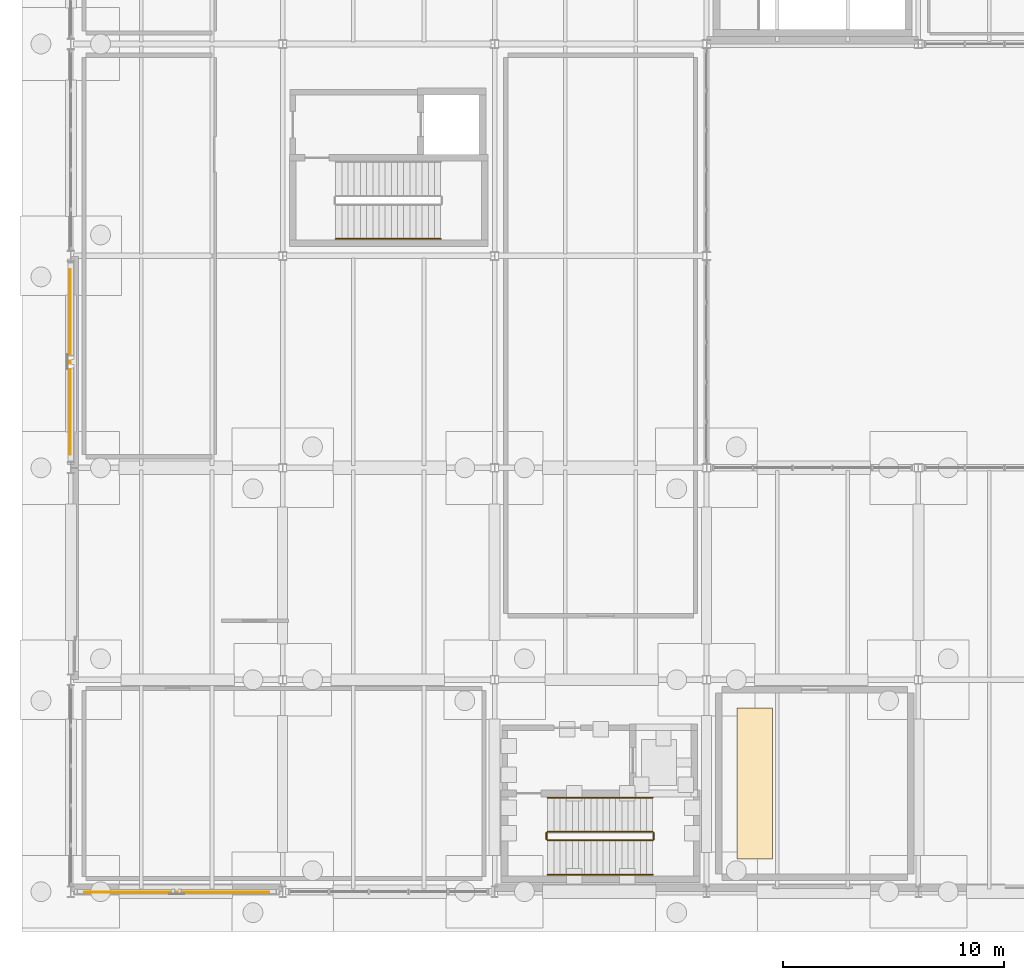
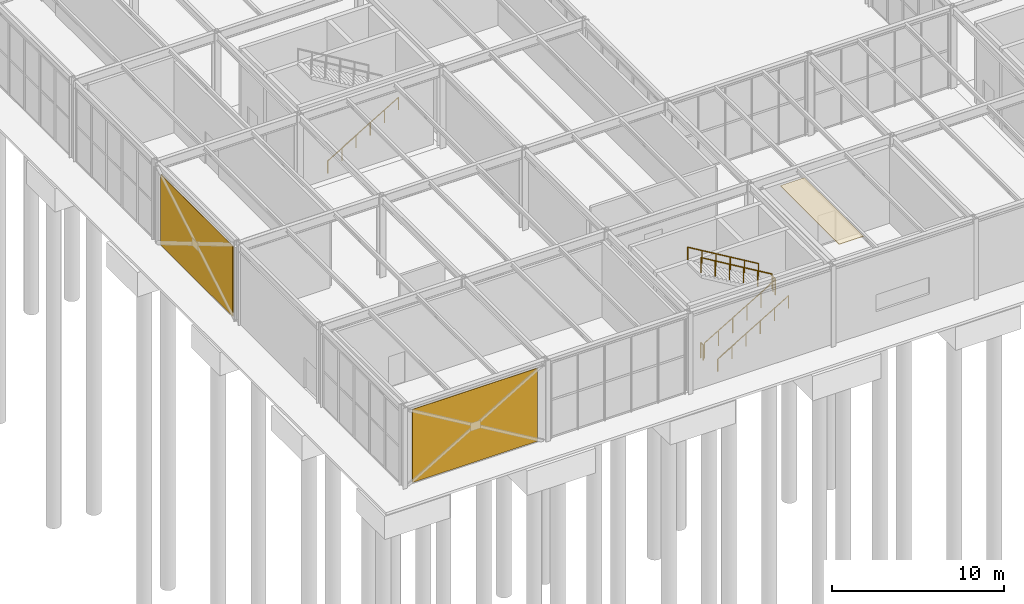
# One storey, part 128 of 142: 7 railings, 3 coverings.
"""IFC4 building model written with IfcOpenShell, lengths in metres."""

import ifcopenshell
import ifcopenshell.guid

model = None  # the IFC model being written
_history = None  # IfcOwnerHistory: only IFC2X3 demands one
_inside = {}  # id of a spatial element -> (the spatial element, [elements in it])
_under = {}  # id of a project, library or spatial element -> (it, [spatial elements below it])
_declared = {}  # id of a project -> (the project, [libraries it declares])
_typed = {}  # id of a type object -> (the type object, [elements of that type])
_made_of = {}  # id of a material, layer set ... -> (it, [elements and type objects made of it])


def new_model(schema):
    """Start an empty IFC model of exactly this schema.

    Asked for "IFC4X3", IfcOpenShell would pick the latest addendum, in which some entities
    have other attributes; the version numbers below select the first issue.
    IFC2X3 requires an IfcOwnerHistory on every rooted entity: one is made here for all.
    """
    global model, _history
    if schema == "IFC4X3":
        model = ifcopenshell.file(schema_version=(4, 3, 0, 0))
    else:
        model = ifcopenshell.file(schema=schema)
    _inside.clear()
    _under.clear()
    _declared.clear()
    _typed.clear()
    _made_of.clear()
    _history = None
    if model.schema == "IFC2X3":
        org = make("IfcOrganization", Name="unknown")
        user = make(
            "IfcPersonAndOrganization",
            ThePerson=make("IfcPerson", FamilyName="unknown"),
            TheOrganization=org,
        )
        app = make(
            "IfcApplication",
            ApplicationDeveloper=org,
            Version="unknown",
            ApplicationFullName="unknown",
            ApplicationIdentifier="unknown",
        )
        _history = make(
            "IfcOwnerHistory",
            OwningUser=user,
            OwningApplication=app,
            ChangeAction="ADDED",
            CreationDate=0,
        )
    return model


def make(cls, **values):
    """One entity of the class cls with the attributes given. An attribute that is None is left unset."""
    return model.create_entity(
        cls, **{name: value for name, value in values.items() if value is not None}
    )


def rooted(cls, **values):
    """An entity with a GlobalId (a new one), such as an element, a storey or a relation."""
    return make(cls, GlobalId=ifcopenshell.guid.new(), OwnerHistory=_history, **values)


def si_unit(unit_type, name, prefix=None):
    """IfcSIUnit, for example si_unit("LENGTHUNIT", "METRE", prefix="MILLI")."""
    return make("IfcSIUnit", UnitType=unit_type, Prefix=prefix, Name=name)


def assignment(units):
    """IfcUnitAssignment: the units of a project."""
    return None if units is None else make("IfcUnitAssignment", Units=units)


def point(xyz):
    """IfcCartesianPoint."""
    return None if xyz is None else make("IfcCartesianPoint", Coordinates=xyz)


def direction(xyz):
    """IfcDirection."""
    return None if xyz is None else make("IfcDirection", DirectionRatios=xyz)


def frame(location, z_axis=None, x_axis=None):
    """IfcAxis2Placement3D, a coordinate frame: its origin and axes. An axis left out is left unset."""
    return make(
        "IfcAxis2Placement3D",
        Location=point(location),
        Axis=direction(z_axis),
        RefDirection=direction(x_axis),
    )


def frame_2d(location, x_axis=None):
    """IfcAxis2Placement2D, a coordinate frame in the plane: its origin and x axis."""
    return make(
        "IfcAxis2Placement2D", Location=point(location), RefDirection=direction(x_axis)
    )


def origin():
    """The frame at (0, 0, 0) with its axes left unset."""
    return frame((0.0, 0.0, 0.0))


def origin_2d():
    """The frame at (0, 0) in the plane with its x axis left unset."""
    return frame_2d((0.0, 0.0))


def place(relative_to, where):
    """IfcLocalPlacement: puts the frame where relative to a parent placement (None: the world)."""
    return make(
        "IfcLocalPlacement", PlacementRelTo=relative_to, RelativePlacement=where
    )


def context(
    kind, dimensions, precision=None, world=None, true_north=None, identifier=None
):
    """IfcGeometricRepresentationContext, for example the 3D "Model" context."""
    return make(
        "IfcGeometricRepresentationContext",
        ContextIdentifier=identifier,
        ContextType=kind,
        CoordinateSpaceDimension=dimensions,
        Precision=precision,
        WorldCoordinateSystem=world,
        TrueNorth=true_north,
    )


def subcontext(parent, identifier, kind, view, scale=None):
    """IfcGeometricRepresentationSubContext, for example "Body" below "Model"."""
    return make(
        "IfcGeometricRepresentationSubContext",
        ContextIdentifier=identifier,
        ContextType=kind,
        ParentContext=parent,
        TargetScale=scale,
        TargetView=view,
    )


def project(units=None, contexts=None):
    """IfcProject with its units and contexts."""
    return rooted(
        "IfcProject",
        Name="project",
        RepresentationContexts=contexts,
        UnitsInContext=assignment(units),
    )


def spatial(cls, under=None, at=None, **own):
    """A site, building, storey or space (cls), placed at a placement, below another one or the project."""
    s = rooted(cls, ObjectPlacement=at, **own)
    if under is not None:
        _under.setdefault(under.id(), (under, []))[1].append(s)
    return s


def polyline(points):
    """IfcPolyline through the points."""
    return make("IfcPolyline", Points=[point(p) for p in points])


def profile(cls, at=None, kind="AREA", **sizes):
    """A parametric profile (cls). Its sizes go by their IFC names, for example OverallWidth=200.0."""
    return make(cls, ProfileType=kind, Position=at, **sizes)


def rectangle(**sizes):
    """IfcRectangleProfileDef."""
    return profile("IfcRectangleProfileDef", **sizes)


def circle(**sizes):
    """IfcCircleProfileDef."""
    return profile("IfcCircleProfileDef", **sizes)


def outline(outer, holes=None, kind="AREA"):
    """IfcArbitraryClosedProfileDef: a profile drawn as a closed curve; with holes, ...WithVoids."""
    if holes is None:
        return make("IfcArbitraryClosedProfileDef", ProfileType=kind, OuterCurve=outer)
    return make(
        "IfcArbitraryProfileDefWithVoids",
        ProfileType=kind,
        OuterCurve=outer,
        InnerCurves=holes,
    )


def extrude(swept, where, along, depth):
    """IfcExtrudedAreaSolid: the profile swept, set in the frame where, extruded along a direction by depth."""
    return make(
        "IfcExtrudedAreaSolid",
        SweptArea=swept,
        Position=where,
        ExtrudedDirection=direction(along),
        Depth=depth,
    )


def shape(context_of_items, identifier, shape_type, items):
    """IfcShapeRepresentation: the items that make up one representation, for example the "Body"."""
    return make(
        "IfcShapeRepresentation",
        ContextOfItems=context_of_items,
        RepresentationIdentifier=identifier,
        RepresentationType=shape_type,
        Items=items,
    )


def material(Name=None, Category=None):
    """IfcMaterial."""
    return make("IfcMaterial", Name=Name, Category=Category)


def layer(
    of_material, thickness, ventilated=None, Name=None, Category=None, Priority=None
):
    """IfcMaterialLayer: one layer of a wall or slab, of a material (None: an air gap)."""
    return make(
        "IfcMaterialLayer",
        Material=of_material,
        LayerThickness=thickness,
        IsVentilated=ventilated,
        Name=Name,
        Category=Category,
        Priority=Priority,
    )


def layer_set(layers, Name=None):
    """IfcMaterialLayerSet."""
    return make("IfcMaterialLayerSet", MaterialLayers=layers, LayerSetName=Name)


def made_of(thing, what):
    """Note that an element or type object is made of a material, layer set ...; save() writes the relation."""
    if what is not None:
        _made_of.setdefault(what.id(), (what, []))[1].append(thing)
    return thing


def type_object(cls, material=None, **own):
    """A type object (cls), such as IfcWallType, which elements share."""
    return made_of(rooted(cls, **own), material)


def element(
    cls,
    number,
    at=None,
    inside=None,
    cuts=None,
    type_object=None,
    material=None,
    context=None,
    identifier="Body",
    shape_type=None,
    held_by="IfcProductDefinitionShape",
    body=None,
    shapes=None,
    **own,
):
    """One element of the class cls, such as IfcWall. Its Tag is "e" and its number.

    at: its placement. inside: the storey or other place that contains it. cuts: it is an
    opening in that element (IfcRelVoidsElement). A single representation is given by context,
    identifier, shape_type and body (its items); several are given by shapes. held_by: the class
    of the entity that holds the representations. save() writes the other relations.
    """
    e = rooted(cls, Tag="e%d" % number, ObjectPlacement=at, **own)
    if body is not None:
        shapes = [shape(context, identifier, shape_type, body)]
    if shapes is not None:
        e.Representation = make(held_by, Representations=shapes)
    if inside is not None:
        _inside.setdefault(inside.id(), (inside, []))[1].append(e)
    if cuts is not None:
        rooted(
            "IfcRelVoidsElement", RelatingBuildingElement=cuts, RelatedOpeningElement=e
        )
    if type_object is not None:
        _typed.setdefault(type_object.id(), (type_object, []))[1].append(e)
    return made_of(e, material)


def aggregate(whole, parts):
    """IfcRelAggregates: a whole, such as a stair, and the parts it consists of."""
    return rooted("IfcRelAggregates", RelatingObject=whole, RelatedObjects=parts)


def save(model, path):
    """Write the relations noted so far, then the file.

    IfcRelAggregates (storeys below a building ...), IfcRelContainedInSpatialStructure (elements
    in a storey), IfcRelDefinesByType, IfcRelAssociatesMaterial and IfcRelDeclares: one each for
    every whole, place, type object, material and project.
    """
    for whole, parts in _under.values():
        aggregate(whole, parts)
    for where, things in _inside.values():
        rooted(
            "IfcRelContainedInSpatialStructure",
            RelatedElements=things,
            RelatingStructure=where,
        )
    for kind, things in _typed.values():
        rooted("IfcRelDefinesByType", RelatedObjects=things, RelatingType=kind)
    for what, things in _made_of.values():
        rooted("IfcRelAssociatesMaterial", RelatedObjects=things, RelatingMaterial=what)
    for by, libraries in _declared.values():
        rooted("IfcRelDeclares", RelatingContext=by, RelatedDefinitions=libraries)
    model.write(path)


model = new_model("IFC4")

# Units and contexts
model_context = context("Model", 3, precision=1e-05, world=origin(), true_north=direction((0.0, 1.0)))
body_context = subcontext(model_context, "Body", "Model", "MODEL_VIEW")
ifc_project = project(units=[si_unit("LENGTHUNIT", "METRE"), si_unit("AREAUNIT", "SQUARE_METRE"), si_unit("VOLUMEUNIT", "CUBIC_METRE"), si_unit("PLANEANGLEUNIT", "RADIAN"), si_unit("MASSUNIT", "GRAM", prefix="KILO")], contexts=[model_context])

# Site, building, storey
site_placement = place(None, origin())
site = spatial("IfcSite", under=ifc_project, at=site_placement, CompositionType="ELEMENT")
building_placement = place(site_placement, origin())
building = spatial("IfcBuilding", under=site, at=building_placement, Name="Coralgate Yard Interchange", CompositionType="ELEMENT")
storey_placement = place(building_placement, origin())
storey = spatial("IfcBuildingStorey", under=building, at=storey_placement, Name="L00", CompositionType="ELEMENT", Elevation=0.0)

# Coverings
ifc_material_1 = material(Name="Perforated marine-grade aluminium acoustic ceiling raft", Category="aluminium")
ifc_layer_1 = layer(ifc_material_1, 0.0400390625)
ifc_layer_set_1 = layer_set([ifc_layer_1], Name="Perforated marine-grade aluminium acoustic ceiling raft")
covering_type_1 = type_object("IfcCoveringType", Name="COV-CEL1", PredefinedType="CEILING", material=ifc_layer_set_1)
covering_1_placement = place(storey_placement, frame((0.0, 0.0, 5.7451171875)))
element("IfcCovering", 1, at=covering_1_placement, inside=storey, type_object=covering_type_1, Name="Fire Command Room acoustic soffit panel", PredefinedType="CEILING", context=body_context, shape_type="SweptSolid", body=[
    extrude(outline(polyline([(30.169921875, 1.469970703125), (31.800048828125, 1.469970703125), (31.800048828125, 8.330078125), (30.169921875, 8.330078125), (30.169921875, 1.469970703125)])), origin(), (0.0, 0.0, 1.0), 0.039794921875),
])
ifc_material_2 = material(Name="Coral-buff architectural terracotta rainscreen cladding", Category="masonry")
ifc_layer_2 = layer(ifc_material_2, 0.0400390625)
ifc_layer_set_2 = layer_set([ifc_layer_2], Name="Coral-buff architectural terracotta rainscreen cladding")
covering_type_2 = type_object("IfcCoveringType", Name="COV-CLD1", PredefinedType="CLADDING", material=ifc_layer_set_2)
covering_2_placement = place(storey_placement, frame((4.800048828125, -0.02001953125, 0.10009765625), z_axis=(0.0, 0.0, 1.0), x_axis=(-1.0, 0.0, 0.0)))
element("IfcCovering", 2, at=covering_2_placement, inside=storey, type_object=covering_type_2, Name="L00 coastal terracotta cladding panel S-0-0", PredefinedType="CLADDING", context=body_context, shape_type="SweptSolid", body=[
    extrude(rectangle(XDim=8.39990234375, YDim=0.0400390625, at=origin_2d()), origin(), (0.0, 0.0, 1.0), 5.199951171875),
])
covering_3_placement = place(storey_placement, frame((-0.02001953125, 24.0, 0.10009765625), z_axis=(0.0, 0.0, 1.0), x_axis=(0.0, 1.0, 0.0)))
element("IfcCovering", 3, at=covering_3_placement, inside=storey, type_object=covering_type_2, Name="L00 coastal terracotta cladding panel W-0-2", PredefinedType="CLADDING", context=body_context, shape_type="SweptSolid", body=[
    extrude(rectangle(XDim=8.39990234375, YDim=0.0400390625, at=origin_2d()), origin(), (0.0, 0.0, 1.0), 5.016845703125),
])

# Railings
ifc_material_3 = material(Name="Grade 316 marine stainless steel and toughened glass balustrade", Category="steel")
railing_type_1 = type_object("IfcRailingType", Name="RLG-GD1100", PredefinedType="BALUSTRADE", material=ifc_material_3)
railing_1_placement = place(storey_placement, frame((21.60009765625, 2.320068359375, 0.166748046875)))
element("IfcRailing", 4, at=railing_1_placement, inside=storey, type_object=railing_type_1, Name="L00 ST-03 stair guard 1", PredefinedType="BALUSTRADE", context=body_context, shape_type="SweptSolid", body=[
    extrude(circle(Radius=0.02392578125, at=origin_2d()), frame((0.0, 0.0, 1.076171875), z_axis=(0.859299802514, 0.0, 0.511472237174), x_axis=(0.0, 1.0, 0.0)), (0.0, 0.0, 1.0), 5.539306640625),
    extrude(circle(Radius=0.02099609375, at=origin_2d()), origin(), (0.0, 0.0, 1.0), 1.051513671875),
    extrude(circle(Radius=0.02099609375, at=origin_2d()), frame((0.951904296875, 0.0, 0.566650390625)), (0.0, 0.0, 1.0), 1.051513671875),
    extrude(circle(Radius=0.02099609375, at=origin_2d()), frame((1.904052734375, 0.0, 1.13330078125)), (0.0, 0.0, 1.0), 1.051513671875),
    extrude(circle(Radius=0.02099609375, at=origin_2d()), frame((2.85595703125, 0.0, 1.699951171875)), (0.0, 0.0, 1.0), 1.051513671875),
    extrude(circle(Radius=0.02099609375, at=origin_2d()), frame((3.80810546875, 0.0, 2.2666015625)), (0.0, 0.0, 1.0), 1.051513671875),
    extrude(circle(Radius=0.02099609375, at=origin_2d()), frame((4.760009765625, 0.0, 2.833251953125)), (0.0, 0.0, 1.0), 1.051513671875),
])
railing_2_placement = place(storey_placement, frame((26.409912109375, 2.3701171875, 3.0)))
element("IfcRailing", 5, at=railing_2_placement, inside=storey, type_object=railing_type_1, Name="L00 ST-03 stair guard 2", PredefinedType="BALUSTRADE", context=body_context, shape_type="SweptSolid", body=[
    extrude(circle(Radius=0.02392578125, at=origin_2d()), frame((0.0, 0.0, 1.076171875), z_axis=(0.0, 1.0, 0.0), x_axis=(-1.0, 0.0, 0.0)), (0.0, 0.0, 1.0), 0.289794921875),
    extrude(circle(Radius=0.02099609375, at=origin_2d()), origin(), (0.0, 0.0, 1.0), 1.051513671875),
    extrude(circle(Radius=0.02099609375, at=origin_2d()), frame((0.0, 0.289794921875, 0.0)), (0.0, 0.0, 1.0), 1.051513671875),
])
railing_3_placement = place(storey_placement, frame((26.360107421875, 2.7099609375, 3.166748046875)))
element("IfcRailing", 6, at=railing_3_placement, inside=storey, type_object=railing_type_1, Name="L00 ST-03 stair guard 3", PredefinedType="BALUSTRADE", context=body_context, shape_type="SweptSolid", body=[
    extrude(circle(Radius=0.02392578125, at=origin_2d()), frame((0.0, 0.0, 1.076171875), z_axis=(-0.859299802514, 0.0, 0.511472237174), x_axis=(0.0, -1.0, 0.0)), (0.0, 0.0, 1.0), 5.539306640625),
    extrude(circle(Radius=0.02099609375, at=origin_2d()), origin(), (0.0, 0.0, 1.0), 1.051513671875),
    extrude(circle(Radius=0.02099609375, at=origin_2d()), frame((-0.951904296875, 0.0, 0.566650390625)), (0.0, 0.0, 1.0), 1.051513671875),
    extrude(circle(Radius=0.02099609375, at=origin_2d()), frame((-1.904052734375, 0.0, 1.13330078125)), (0.0, 0.0, 1.0), 1.051513671875),
    extrude(circle(Radius=0.02099609375, at=origin_2d()), frame((-2.85595703125, 0.0, 1.699951171875)), (0.0, 0.0, 1.0), 1.051513671875),
    extrude(circle(Radius=0.02099609375, at=origin_2d()), frame((-3.80810546875, 0.0, 2.2666015625)), (0.0, 0.0, 1.0), 1.051513671875),
    extrude(circle(Radius=0.02099609375, at=origin_2d()), frame((-4.760009765625, 0.0, 2.833251953125)), (0.0, 0.0, 1.0), 1.051513671875),
])
railing_4_placement = place(storey_placement, frame((21.550048828125, 2.3701171875, 0.0)))
element("IfcRailing", 7, at=railing_4_placement, inside=storey, type_object=railing_type_1, Name="L00 ST-03 stair guard 4", PredefinedType="BALUSTRADE", context=body_context, shape_type="SweptSolid", body=[
    extrude(circle(Radius=0.02392578125, at=origin_2d()), frame((0.0, 0.0, 1.076171875), z_axis=(0.0, 1.0, 0.0), x_axis=(-1.0, 0.0, 0.0)), (0.0, 0.0, 1.0), 0.289794921875),
    extrude(circle(Radius=0.02099609375, at=origin_2d()), origin(), (0.0, 0.0, 1.0), 1.051513671875),
    extrude(circle(Radius=0.02099609375, at=origin_2d()), frame((0.0, 0.289794921875, 0.0)), (0.0, 0.0, 1.0), 1.051513671875),
])
ifc_material_4 = material(Name="Grade 316 marine stainless steel", Category="steel")
railing_type_2 = type_object("IfcRailingType", Name="RLG-HR900", PredefinedType="HANDRAIL", material=ifc_material_4)
for number, where, name in (
    (8, (12.0, 29.570068359375, 0.166748046875), "L00 ST-01 stair handrail 1"),
    (9, (21.60009765625, 0.77001953125, 0.166748046875), "L00 ST-03 stair handrail 1"),
):
    element("IfcRailing", number, at=place(storey_placement, frame(where)), inside=storey, type_object=railing_type_2, Name=name, PredefinedType="HANDRAIL", context=body_context, shape_type="SweptSolid", body=[
        extrude(circle(Radius=0.02392578125, at=origin_2d()), frame((0.0, 0.0, 0.8759765625), z_axis=(0.859299802514, 0.0, 0.511472237174), x_axis=(0.0, 1.0, 0.0)), (0.0, 0.0, 1.0), 5.539306640625),
        extrude(circle(Radius=0.02099609375, at=origin_2d()), origin(), (0.0, 0.0, 1.0), 0.851318359375),
        extrude(circle(Radius=0.02099609375, at=origin_2d()), frame((0.951904296875, 0.0, 0.566650390625)), (0.0, 0.0, 1.0), 0.851318359375),
        extrude(circle(Radius=0.02099609375, at=origin_2d()), frame((1.904052734375, 0.0, 1.13330078125)), (0.0, 0.0, 1.0), 0.851318359375),
        extrude(circle(Radius=0.02099609375, at=origin_2d()), frame((2.85595703125, 0.0, 1.699951171875)), (0.0, 0.0, 1.0), 0.851318359375),
        extrude(circle(Radius=0.02099609375, at=origin_2d()), frame((3.80810546875, 0.0, 2.2666015625)), (0.0, 0.0, 1.0), 0.851318359375),
        extrude(circle(Radius=0.02099609375, at=origin_2d()), frame((4.760009765625, 0.0, 2.833251953125)), (0.0, 0.0, 1.0), 0.851318359375),
    ])
railing_5_placement = place(storey_placement, frame((26.360107421875, 4.260009765625, 3.166748046875)))
element("IfcRailing", 10, at=railing_5_placement, inside=storey, type_object=railing_type_2, Name="L00 ST-03 stair handrail 2", PredefinedType="HANDRAIL", context=body_context, shape_type="SweptSolid", body=[
    extrude(circle(Radius=0.02392578125, at=origin_2d()), frame((0.0, 0.0, 0.8759765625), z_axis=(-0.859299802514, 0.0, 0.511472237174), x_axis=(0.0, -1.0, 0.0)), (0.0, 0.0, 1.0), 5.539306640625),
    extrude(circle(Radius=0.02099609375, at=origin_2d()), origin(), (0.0, 0.0, 1.0), 0.851318359375),
    extrude(circle(Radius=0.02099609375, at=origin_2d()), frame((-0.951904296875, 0.0, 0.566650390625)), (0.0, 0.0, 1.0), 0.851318359375),
    extrude(circle(Radius=0.02099609375, at=origin_2d()), frame((-1.904052734375, 0.0, 1.13330078125)), (0.0, 0.0, 1.0), 0.851318359375),
    extrude(circle(Radius=0.02099609375, at=origin_2d()), frame((-2.85595703125, 0.0, 1.699951171875)), (0.0, 0.0, 1.0), 0.851318359375),
    extrude(circle(Radius=0.02099609375, at=origin_2d()), frame((-3.80810546875, 0.0, 2.2666015625)), (0.0, 0.0, 1.0), 0.851318359375),
    extrude(circle(Radius=0.02099609375, at=origin_2d()), frame((-4.760009765625, 0.0, 2.833251953125)), (0.0, 0.0, 1.0), 0.851318359375),
])

save(model, "model.ifc")
